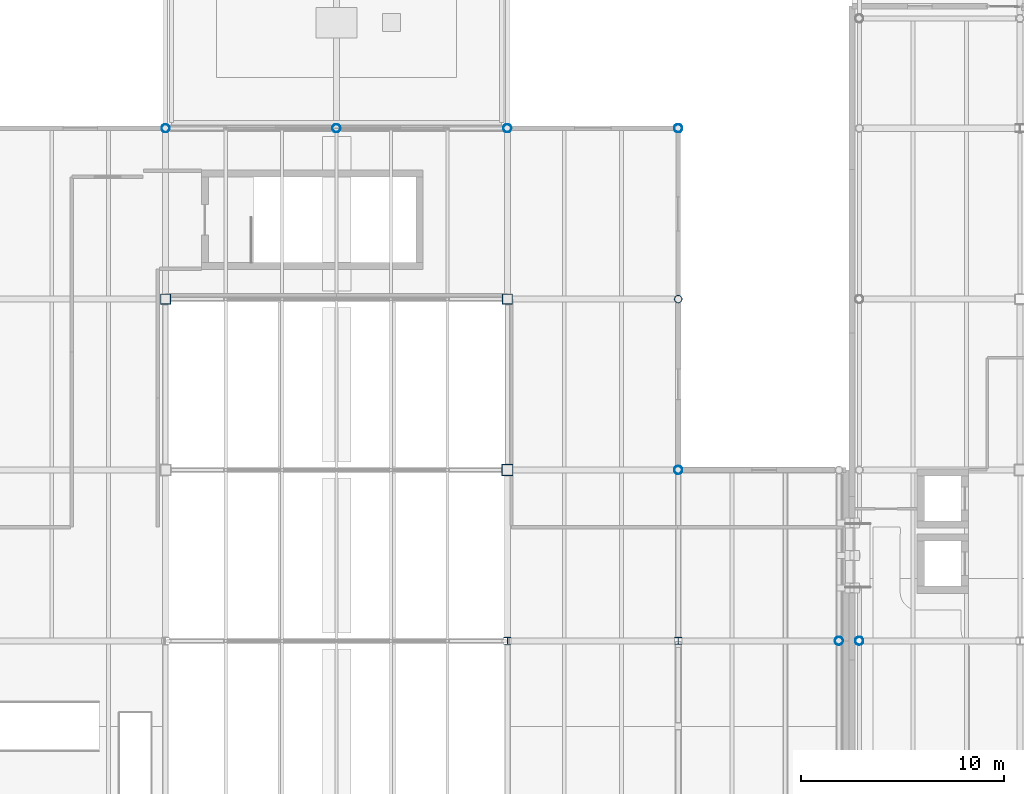
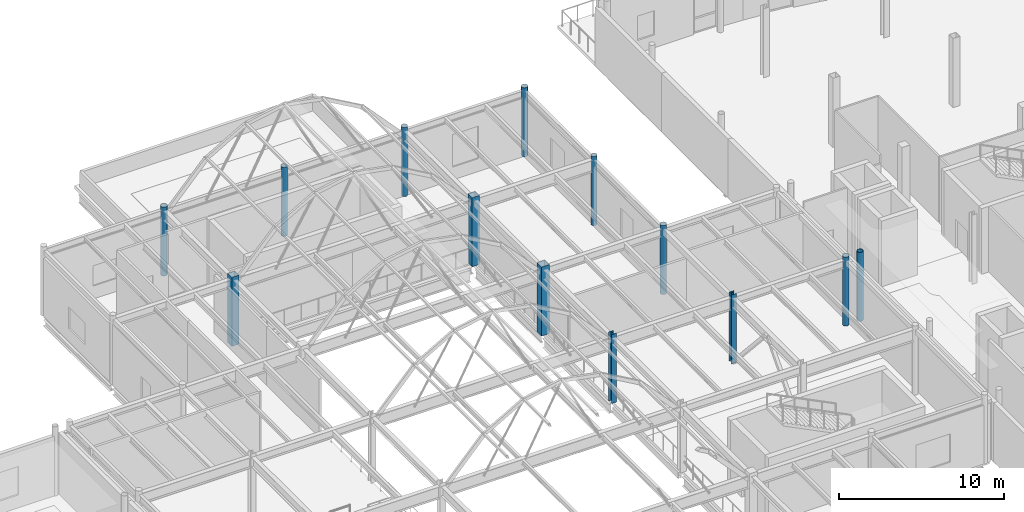
# One storey, part 8 of 103: 13 columns.
"""IFC4 building model written with IfcOpenShell, lengths in metres."""

from ifc_helpers import new_model, si_unit, direction, frame, origin, origin_2d, place, context, subcontext, project, spatial, hollow_rectangle, hollow_circle, i_section, extrude, material, material_profile, profile_set, type_object, element, save


model = new_model("IFC4")

# Units and contexts
model_context = context("Model", 3, precision=1e-05, world=origin(), true_north=direction((0.0, 1.0)))
body_context = subcontext(model_context, "Body", "Model", "MODEL_VIEW")
ifc_project = project(units=[si_unit("LENGTHUNIT", "METRE"), si_unit("AREAUNIT", "SQUARE_METRE"), si_unit("VOLUMEUNIT", "CUBIC_METRE"), si_unit("PLANEANGLEUNIT", "RADIAN"), si_unit("MASSUNIT", "GRAM", prefix="KILO"), si_unit("THERMODYNAMICTEMPERATUREUNIT", "KELVIN")], contexts=[model_context])

# Site, building, storey
site_placement = place(None, origin())
site = spatial("IfcSite", under=ifc_project, at=site_placement, CompositionType="ELEMENT")
building_placement = place(site_placement, origin())
building = spatial("IfcBuilding", under=site, at=building_placement, Name="Lustrewick Department Store", CompositionType="ELEMENT")
storey_placement = place(building_placement, frame((0.0, 0.0, 16.5)))
storey = spatial("IfcBuildingStorey", under=building, at=storey_placement, Name="L04", CompositionType="ELEMENT", Elevation=16.5)

# Columns
ifc_material_1 = material(Name="Structural steel Q355C", Category="steel")
ifc_material_profile_1 = material_profile(ifc_material_1, hollow_rectangle(XDim=0.550048828125, YDim=0.550048828125, WallThickness=0.02197265625, at=origin_2d()), Name="BOX 550x550x22")
ifc_profile_set_1 = profile_set([ifc_material_profile_1], Name="Structural steel Q355C")
column_type_1 = type_object("IfcColumnType", Name="C05", PredefinedType="COLUMN", material=ifc_profile_set_1)
column_1_placement = place(storey_placement, frame((92.39990234375, 84.0, 0.0), z_axis=(0.0, 0.0, 1.0), x_axis=(1.0, 0.0, 0.0)))
element("IfcColumn", 1, at=column_1_placement, inside=storey, type_object=column_type_1, Name="L04 V2 Column C05", PredefinedType="COLUMN", context=body_context, shape_type="SweptSolid", body=[
    extrude(hollow_rectangle(XDim=0.550048828125, YDim=0.550048828125, WallThickness=0.02197265625, at=origin_2d()), origin(), (0.0, 0.0, 1.0), 5.10009765625),
])
ifc_material_2 = material(Name="Structural steel Q355B", Category="steel")
ifc_material_profile_2 = material_profile(ifc_material_2, hollow_rectangle(XDim=0.5, YDim=0.5, WallThickness=0.02001953125, at=origin_2d()), Name="BOX 500x500x20")
ifc_profile_set_2 = profile_set([ifc_material_profile_2], Name="Structural steel Q355B")
column_type_2 = type_object("IfcColumnType", Name="C06", PredefinedType="COLUMN", material=ifc_profile_set_2)
for number, where, z_axis, x_axis, name in (
    (2, (75.60009765625, 92.39990234375, 0.0), (0.0, 0.0, 1.0), (1.0, 0.0, 0.0), "L04 V2 Column C06"),
    (3, (92.39990234375, 92.39990234375, 0.0), (0.0, 0.0, 1.0), (1.0, 0.0, 0.0), "L04 V2 Column C06"),
):
    element("IfcColumn", number, at=place(storey_placement, frame(where, z_axis=z_axis, x_axis=x_axis)), inside=storey, type_object=column_type_2, Name=name, PredefinedType="COLUMN", context=body_context, shape_type="SweptSolid", body=[
        extrude(hollow_rectangle(XDim=0.5, YDim=0.5, WallThickness=0.02001953125, at=origin_2d()), origin(), (0.0, 0.0, 1.0), 5.10009765625),
    ])
ifc_material_profile_3 = material_profile(ifc_material_2, i_section(OverallWidth=0.35009765625, OverallDepth=0.35009765625, WebThickness=0.011962890625, FlangeThickness=0.01904296875, FilletRadius=0.02001953125, at=origin_2d()), Name="HW 350x350x12x19")
ifc_profile_set_3 = profile_set([ifc_material_profile_3], Name="Structural steel Q355B")
column_type_3 = type_object("IfcColumnType", Name="C13", PredefinedType="COLUMN", material=ifc_profile_set_3)
for number, where, z_axis, x_axis, name in (
    (4, (92.39990234375, 75.60009765625, 0.0), (0.0, 0.0, 1.0), (1.0, 0.0, 0.0), "L04 V2 Column C13"),
    (5, (100.800048828125, 75.60009765625, 0.0), (0.0, 0.0, 1.0), (1.0, 0.0, 0.0), "L04 V2 Column C13"),
):
    element("IfcColumn", number, at=place(storey_placement, frame(where, z_axis=z_axis, x_axis=x_axis)), inside=storey, type_object=column_type_3, Name=name, PredefinedType="COLUMN", context=body_context, shape_type="SweptSolid", body=[
        extrude(i_section(OverallWidth=0.35009765625, OverallDepth=0.35009765625, WebThickness=0.011962890625, FlangeThickness=0.01904296875, FilletRadius=0.02001953125, at=origin_2d()), origin(), (0.0, 0.0, 1.0), 5.10009765625),
    ])
ifc_material_profile_4 = material_profile(ifc_material_1, hollow_circle(Radius=0.202880859375, WallThickness=0.01611328125, at=origin_2d()), Name="CHS 406x16")
ifc_profile_set_4 = profile_set([ifc_material_profile_4], Name="Structural steel Q355C")
column_type_4 = type_object("IfcColumnType", Name="CE03", PredefinedType="COLUMN", material=ifc_profile_set_4)
for number, where, z_axis, x_axis, name in (
    (6, (75.60009765625, 100.800048828125, 0.0), (0.0, 0.0, 1.0), (1.0, 0.0, 0.0), "L04 V2 Column CE03"),
    (7, (84.0, 100.800048828125, 0.0), (0.0, 0.0, 1.0), (1.0, 0.0, 0.0), "L04 V2 Column CE03"),
    (8, (92.39990234375, 100.800048828125, 0.0), (0.0, 0.0, 1.0), (1.0, 0.0, 0.0), "L04 V2 Column CE03"),
    (9, (100.800048828125, 84.0, 0.0), (0.0, 0.0, 1.0), (1.0, 0.0, 0.0), "L04 V2 Column CE03"),
    (10, (100.800048828125, 100.800048828125, 0.0), (0.0, 0.0, 1.0), (1.0, 0.0, 0.0), "L04 V2 Column CE03"),
    (11, (108.699951171875, 75.60009765625, 0.0), (0.0, 0.0, 1.0), (1.0, 0.0, 0.0), "L04 V2 Column CE03"),
    (12, (109.699951171875, 75.60009765625, 0.0), (0.0, 0.0, 1.0), (1.0, 0.0, 0.0), "L04 V4 Column CE03"),
):
    element("IfcColumn", number, at=place(storey_placement, frame(where, z_axis=z_axis, x_axis=x_axis)), inside=storey, type_object=column_type_4, Name=name, PredefinedType="COLUMN", context=body_context, shape_type="SweptSolid", body=[
        extrude(hollow_circle(Radius=0.202880859375, WallThickness=0.01611328125, at=origin_2d()), origin(), (0.0, 0.0, 1.0), 5.10009765625),
    ])
ifc_material_profile_5 = material_profile(ifc_material_2, hollow_circle(Radius=0.1884765625, WallThickness=0.013916015625, at=origin_2d()), Name="CHS 377x14")
ifc_profile_set_5 = profile_set([ifc_material_profile_5], Name="Structural steel Q355B")
column_type_5 = type_object("IfcColumnType", Name="CE04", PredefinedType="COLUMN", material=ifc_profile_set_5)
column_2_placement = place(storey_placement, frame((100.800048828125, 92.39990234375, 0.0), z_axis=(0.0, 0.0, 1.0), x_axis=(1.0, 0.0, 0.0)))
element("IfcColumn", 13, at=column_2_placement, inside=storey, type_object=column_type_5, Name="L04 V2 Column CE04", PredefinedType="COLUMN", context=body_context, shape_type="SweptSolid", body=[
    extrude(hollow_circle(Radius=0.1884765625, WallThickness=0.013916015625, at=origin_2d()), origin(), (0.0, 0.0, 1.0), 5.10009765625),
])

save(model, "model.ifc")
